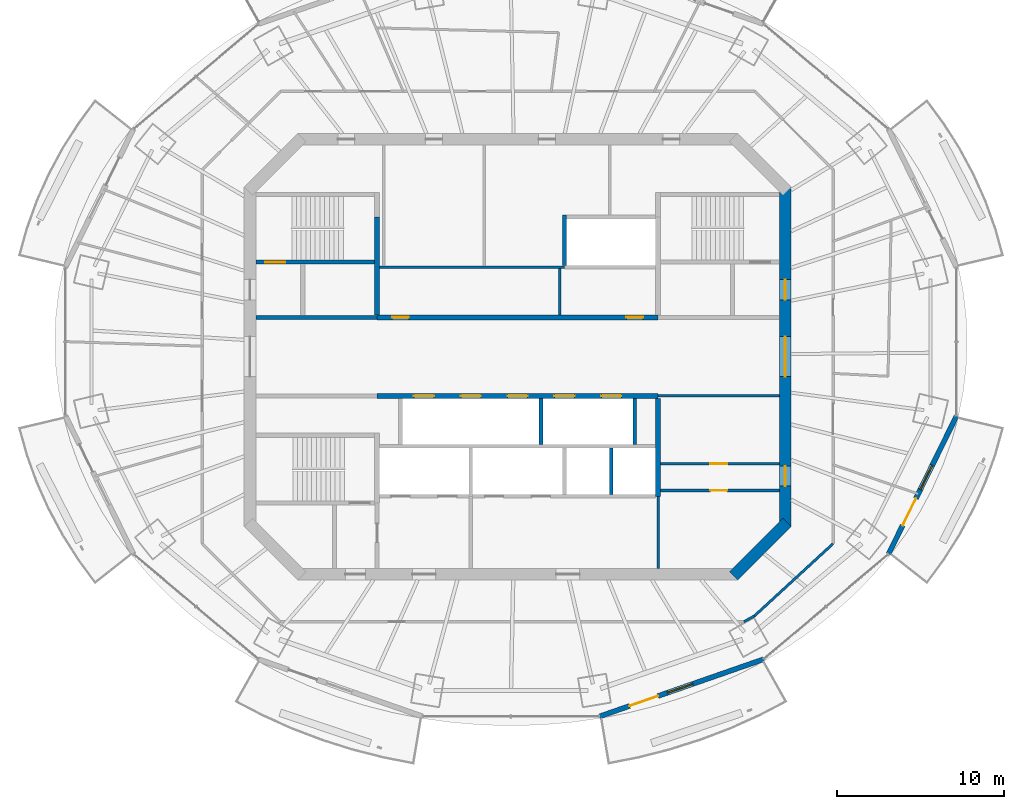
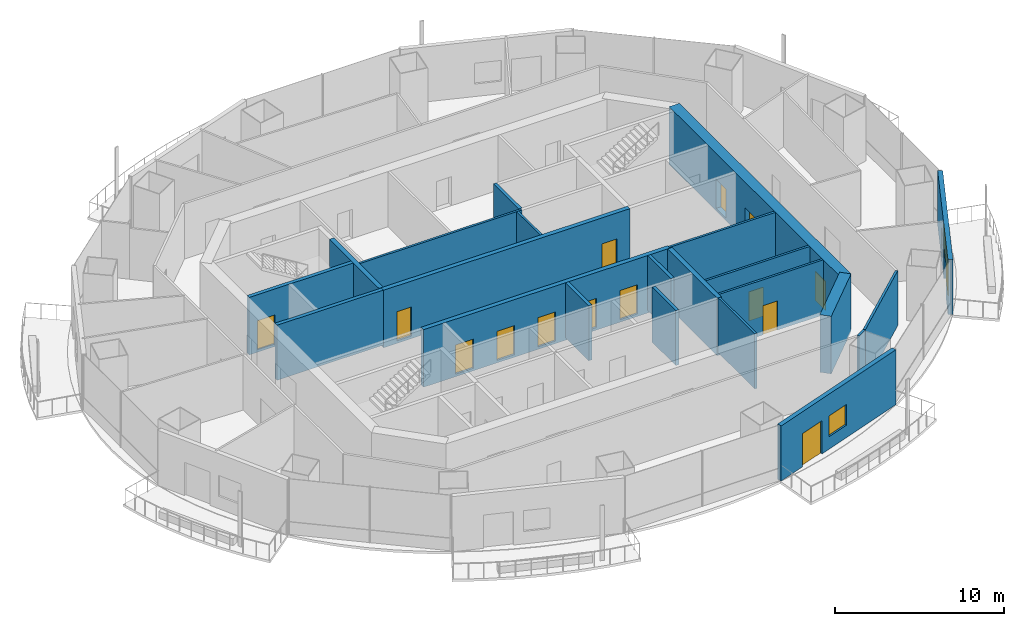
# One storey, part 9 of 16: 22 walls, 15 doors, 2 windows, 17 openings.
"""IFC4 building model written with IfcOpenShell, lengths in metres."""

import ifcopenshell
import ifcopenshell.guid

model = None  # the IFC model being written
_history = None  # IfcOwnerHistory: only IFC2X3 demands one
_inside = {}  # id of a spatial element -> (the spatial element, [elements in it])
_under = {}  # id of a project, library or spatial element -> (it, [spatial elements below it])
_declared = {}  # id of a project -> (the project, [libraries it declares])
_typed = {}  # id of a type object -> (the type object, [elements of that type])
_made_of = {}  # id of a material, layer set ... -> (it, [elements and type objects made of it])


def new_model(schema):
    """Start an empty IFC model of exactly this schema.

    Asked for "IFC4X3", IfcOpenShell would pick the latest addendum, in which some entities
    have other attributes; the version numbers below select the first issue.
    IFC2X3 requires an IfcOwnerHistory on every rooted entity: one is made here for all.
    """
    global model, _history
    if schema == "IFC4X3":
        model = ifcopenshell.file(schema_version=(4, 3, 0, 0))
    else:
        model = ifcopenshell.file(schema=schema)
    _inside.clear()
    _under.clear()
    _declared.clear()
    _typed.clear()
    _made_of.clear()
    _history = None
    if model.schema == "IFC2X3":
        org = make("IfcOrganization", Name="unknown")
        user = make(
            "IfcPersonAndOrganization",
            ThePerson=make("IfcPerson", FamilyName="unknown"),
            TheOrganization=org,
        )
        app = make(
            "IfcApplication",
            ApplicationDeveloper=org,
            Version="unknown",
            ApplicationFullName="unknown",
            ApplicationIdentifier="unknown",
        )
        _history = make(
            "IfcOwnerHistory",
            OwningUser=user,
            OwningApplication=app,
            ChangeAction="ADDED",
            CreationDate=0,
        )
    return model


def make(cls, **values):
    """One entity of the class cls with the attributes given. An attribute that is None is left unset."""
    return model.create_entity(
        cls, **{name: value for name, value in values.items() if value is not None}
    )


def rooted(cls, **values):
    """An entity with a GlobalId (a new one), such as an element, a storey or a relation."""
    return make(cls, GlobalId=ifcopenshell.guid.new(), OwnerHistory=_history, **values)


def si_unit(unit_type, name, prefix=None):
    """IfcSIUnit, for example si_unit("LENGTHUNIT", "METRE", prefix="MILLI")."""
    return make("IfcSIUnit", UnitType=unit_type, Prefix=prefix, Name=name)


def assignment(units):
    """IfcUnitAssignment: the units of a project."""
    return None if units is None else make("IfcUnitAssignment", Units=units)


def point(xyz):
    """IfcCartesianPoint."""
    return None if xyz is None else make("IfcCartesianPoint", Coordinates=xyz)


def direction(xyz):
    """IfcDirection."""
    return None if xyz is None else make("IfcDirection", DirectionRatios=xyz)


def frame(location, z_axis=None, x_axis=None):
    """IfcAxis2Placement3D, a coordinate frame: its origin and axes. An axis left out is left unset."""
    return make(
        "IfcAxis2Placement3D",
        Location=point(location),
        Axis=direction(z_axis),
        RefDirection=direction(x_axis),
    )


def frame_2d(location, x_axis=None):
    """IfcAxis2Placement2D, a coordinate frame in the plane: its origin and x axis."""
    return make(
        "IfcAxis2Placement2D", Location=point(location), RefDirection=direction(x_axis)
    )


def origin():
    """The frame at (0, 0, 0) with its axes left unset."""
    return frame((0.0, 0.0, 0.0))


def place(relative_to, where):
    """IfcLocalPlacement: puts the frame where relative to a parent placement (None: the world)."""
    return make(
        "IfcLocalPlacement", PlacementRelTo=relative_to, RelativePlacement=where
    )


def context(
    kind, dimensions, precision=None, world=None, true_north=None, identifier=None
):
    """IfcGeometricRepresentationContext, for example the 3D "Model" context."""
    return make(
        "IfcGeometricRepresentationContext",
        ContextIdentifier=identifier,
        ContextType=kind,
        CoordinateSpaceDimension=dimensions,
        Precision=precision,
        WorldCoordinateSystem=world,
        TrueNorth=true_north,
    )


def subcontext(parent, identifier, kind, view, scale=None):
    """IfcGeometricRepresentationSubContext, for example "Body" below "Model"."""
    return make(
        "IfcGeometricRepresentationSubContext",
        ContextIdentifier=identifier,
        ContextType=kind,
        ParentContext=parent,
        TargetScale=scale,
        TargetView=view,
    )


def project(units=None, contexts=None):
    """IfcProject with its units and contexts."""
    return rooted(
        "IfcProject",
        Name="project",
        RepresentationContexts=contexts,
        UnitsInContext=assignment(units),
    )


def spatial(cls, under=None, at=None, **own):
    """A site, building, storey or space (cls), placed at a placement, below another one or the project."""
    s = rooted(cls, ObjectPlacement=at, **own)
    if under is not None:
        _under.setdefault(under.id(), (under, []))[1].append(s)
    return s


def profile(cls, at=None, kind="AREA", **sizes):
    """A parametric profile (cls). Its sizes go by their IFC names, for example OverallWidth=200.0."""
    return make(cls, ProfileType=kind, Position=at, **sizes)


def rectangle(**sizes):
    """IfcRectangleProfileDef."""
    return profile("IfcRectangleProfileDef", **sizes)


def extrude(swept, where, along, depth):
    """IfcExtrudedAreaSolid: the profile swept, set in the frame where, extruded along a direction by depth."""
    return make(
        "IfcExtrudedAreaSolid",
        SweptArea=swept,
        Position=where,
        ExtrudedDirection=direction(along),
        Depth=depth,
    )


def shape(context_of_items, identifier, shape_type, items):
    """IfcShapeRepresentation: the items that make up one representation, for example the "Body"."""
    return make(
        "IfcShapeRepresentation",
        ContextOfItems=context_of_items,
        RepresentationIdentifier=identifier,
        RepresentationType=shape_type,
        Items=items,
    )


def material(Name=None, Category=None):
    """IfcMaterial."""
    return make("IfcMaterial", Name=Name, Category=Category)


def layer(
    of_material, thickness, ventilated=None, Name=None, Category=None, Priority=None
):
    """IfcMaterialLayer: one layer of a wall or slab, of a material (None: an air gap)."""
    return make(
        "IfcMaterialLayer",
        Material=of_material,
        LayerThickness=thickness,
        IsVentilated=ventilated,
        Name=Name,
        Category=Category,
        Priority=Priority,
    )


def layer_set(layers, Name=None):
    """IfcMaterialLayerSet."""
    return make("IfcMaterialLayerSet", MaterialLayers=layers, LayerSetName=Name)


def made_of(thing, what):
    """Note that an element or type object is made of a material, layer set ...; save() writes the relation."""
    if what is not None:
        _made_of.setdefault(what.id(), (what, []))[1].append(thing)
    return thing


def type_object(cls, material=None, **own):
    """A type object (cls), such as IfcWallType, which elements share."""
    return made_of(rooted(cls, **own), material)


def element(
    cls,
    number,
    at=None,
    inside=None,
    cuts=None,
    type_object=None,
    material=None,
    context=None,
    identifier="Body",
    shape_type=None,
    held_by="IfcProductDefinitionShape",
    body=None,
    shapes=None,
    **own,
):
    """One element of the class cls, such as IfcWall. Its Tag is "e" and its number.

    at: its placement. inside: the storey or other place that contains it. cuts: it is an
    opening in that element (IfcRelVoidsElement). A single representation is given by context,
    identifier, shape_type and body (its items); several are given by shapes. held_by: the class
    of the entity that holds the representations. save() writes the other relations.
    """
    e = rooted(cls, Tag="e%d" % number, ObjectPlacement=at, **own)
    if body is not None:
        shapes = [shape(context, identifier, shape_type, body)]
    if shapes is not None:
        e.Representation = make(held_by, Representations=shapes)
    if inside is not None:
        _inside.setdefault(inside.id(), (inside, []))[1].append(e)
    if cuts is not None:
        rooted(
            "IfcRelVoidsElement", RelatingBuildingElement=cuts, RelatedOpeningElement=e
        )
    if type_object is not None:
        _typed.setdefault(type_object.id(), (type_object, []))[1].append(e)
    return made_of(e, material)


def fill(opening, filler):
    """IfcRelFillsElement: the door or window that sits in an opening."""
    return rooted(
        "IfcRelFillsElement",
        RelatingOpeningElement=opening,
        RelatedBuildingElement=filler,
    )


def aggregate(whole, parts):
    """IfcRelAggregates: a whole, such as a stair, and the parts it consists of."""
    return rooted("IfcRelAggregates", RelatingObject=whole, RelatedObjects=parts)


def save(model, path):
    """Write the relations noted so far, then the file.

    IfcRelAggregates (storeys below a building ...), IfcRelContainedInSpatialStructure (elements
    in a storey), IfcRelDefinesByType, IfcRelAssociatesMaterial and IfcRelDeclares: one each for
    every whole, place, type object, material and project.
    """
    for whole, parts in _under.values():
        aggregate(whole, parts)
    for where, things in _inside.values():
        rooted(
            "IfcRelContainedInSpatialStructure",
            RelatedElements=things,
            RelatingStructure=where,
        )
    for kind, things in _typed.values():
        rooted("IfcRelDefinesByType", RelatedObjects=things, RelatingType=kind)
    for what, things in _made_of.values():
        rooted("IfcRelAssociatesMaterial", RelatedObjects=things, RelatingMaterial=what)
    for by, libraries in _declared.values():
        rooted("IfcRelDeclares", RelatingContext=by, RelatedDefinitions=libraries)
    model.write(path)


model = new_model("IFC4")

# Units and contexts
model_context = context("Model", 3, precision=1e-05, world=origin(), true_north=direction((0.0, 1.0)))
body_context = subcontext(model_context, "Body", "Model", "MODEL_VIEW")
ifc_project = project(units=[si_unit("LENGTHUNIT", "METRE"), si_unit("AREAUNIT", "SQUARE_METRE"), si_unit("VOLUMEUNIT", "CUBIC_METRE"), si_unit("PLANEANGLEUNIT", "RADIAN"), si_unit("MASSUNIT", "GRAM", prefix="KILO")], contexts=[model_context])

# Site, building, storey
site_placement = place(None, origin())
site = spatial("IfcSite", under=ifc_project, at=site_placement, CompositionType="ELEMENT")
building_placement = place(site_placement, origin())
building = spatial("IfcBuilding", under=site, at=building_placement, Name="Marenthal Gate Tower", CompositionType="ELEMENT")
storey_placement = place(building_placement, frame((0.0, 0.0, 338.449951171875)))
storey = spatial("IfcBuildingStorey", under=building, at=storey_placement, Name="L76", CompositionType="ELEMENT", Elevation=338.449951171875)

# Wall
ifc_material_1 = material(Name="Concrete 60 MPa", Category="concrete")
ifc_layer_1 = layer(ifc_material_1, 0.699951171875)
ifc_layer_set_1 = layer_set([ifc_layer_1], Name="Core shear wall 700")
wall_type_1 = type_object("IfcWallType", Name="Core shear wall 700", PredefinedType="SHEAR", material=ifc_layer_set_1)
wall_1_placement = place(storey_placement, frame((12.8974609375, -13.1025390625, -0.179931640625), z_axis=(0.0, 0.0, 1.0), x_axis=(0.707106781187, 0.707106781187, 0.0)))
element("IfcWall", 1, at=wall_1_placement, inside=storey, type_object=wall_type_1, Name="Core wall 01", PredefinedType="SHEAR", context=body_context, shape_type="SweptSolid", body=[
    extrude(rectangle(XDim=4.53271484375, YDim=0.699951171875, at=frame_2d((2.266357421875, 0.0))), origin(), (0.0, 0.0, 1.0), 4.14990234375),
])

# Wall, openings, doors
wall_2_placement = place(storey_placement, frame((16.0, -10.14501953125, -0.179931640625), z_axis=(0.0, 0.0, 1.0), x_axis=(0.0, 1.0, 0.0)))
wall_2 = element("IfcWall", 2, at=wall_2_placement, inside=storey, type_object=wall_type_1, Name="Core wall 02", PredefinedType="SHEAR", context=body_context, shape_type="SweptSolid", body=[
    extrude(rectangle(XDim=20.2900390625, YDim=0.699951171875, at=frame_2d((10.14501953125, 0.0))), origin(), (0.0, 0.0, 1.0), 4.14990234375),
])
opening_1_placement = place(wall_2_placement, frame((8.945068359375, 0.0, 0.179931640625)))
opening_1 = element("IfcOpeningElement", 3, at=opening_1_placement, cuts=wall_2, Name="Opening D003.02", PredefinedType="OPENING", context=body_context, shape_type="SweptSolid", body=[
    extrude(rectangle(XDim=2.39990234375, YDim=2.10009765625, at=frame_2d((1.199951171875, 1.050048828125))), frame((0.0, 0.35986328125, 0.0), z_axis=(0.0, -1.0, 0.0), x_axis=(1.0, 0.0, 0.0)), (0.0, 0.0, 1.0), 0.719970703125),
])
opening_2_placement = place(wall_2_placement, frame((13.544921875, 0.0, 0.179931640625)))
opening_2 = element("IfcOpeningElement", 4, at=opening_2_placement, cuts=wall_2, Name="Opening D001.05", PredefinedType="OPENING", context=body_context, shape_type="SweptSolid", body=[
    extrude(rectangle(XDim=1.199951171875, YDim=2.10009765625, at=frame_2d((0.60009765625, 1.050048828125))), frame((0.0, 0.35986328125, 0.0), z_axis=(0.0, -1.0, 0.0), x_axis=(1.0, 0.0, 0.0)), (0.0, 0.0, 1.0), 0.719970703125),
])
opening_3_placement = place(wall_2_placement, frame((2.39990234375, 0.0, 0.179931640625)))
opening_3 = element("IfcOpeningElement", 5, at=opening_3_placement, cuts=wall_2, Name="Opening D006.01", PredefinedType="OPENING", context=body_context, shape_type="SweptSolid", body=[
    extrude(rectangle(XDim=1.199951171875, YDim=2.10009765625, at=frame_2d((0.60009765625, 1.050048828125))), frame((0.0, 0.35986328125, 0.0), z_axis=(0.0, -1.0, 0.0), x_axis=(1.0, 0.0, 0.0)), (0.0, 0.0, 1.0), 0.719970703125),
])
ifc_material_2 = material(Name="Steel fire door", Category="steel")
door_type_1 = type_object("IfcDoorType", Name="Double fire door FD 45 2400 x 2100", OperationType="DOUBLE_DOOR_SINGLE_SWING", PredefinedType="DOOR", material=ifc_material_2)
door_1_placement = place(opening_1_placement, origin())
door_1 = element("IfcDoor", 6, at=door_1_placement, inside=storey, type_object=door_type_1, Name="Door D003.02", OperationType="DOUBLE_DOOR_SINGLE_SWING", OverallHeight=2.10009765625, OverallWidth=2.39990234375, PredefinedType="DOOR", context=body_context, shape_type="SweptSolid", body=[
    extrude(rectangle(XDim=2.39990234375, YDim=2.10009765625, at=frame_2d((1.199951171875, 1.050048828125))), frame((0.0, 0.02490234375, 0.0), z_axis=(0.0, -1.0, 0.0), x_axis=(1.0, 0.0, 0.0)), (0.0, 0.0, 1.0), 0.050048828125),
])
fill(opening_1, door_1)
ifc_material_3 = material(Name="Steel fire door", Category="steel")
door_type_2 = type_object("IfcDoorType", Name="Fire door FD 45 1200 x 2100", OperationType="NOTDEFINED", PredefinedType="DOOR", material=ifc_material_3)
door_2_placement = place(opening_3_placement, origin())
door_2 = element("IfcDoor", 7, at=door_2_placement, inside=storey, type_object=door_type_2, Name="Door D006.01", OperationType="SINGLE_SWING_RIGHT", OverallHeight=2.10009765625, OverallWidth=1.199951171875, PredefinedType="DOOR", context=body_context, shape_type="SweptSolid", body=[
    extrude(rectangle(XDim=1.199951171875, YDim=2.10009765625, at=frame_2d((0.60009765625, 1.050048828125))), frame((0.0, 0.02490234375, 0.0), z_axis=(0.0, -1.0, 0.0), x_axis=(1.0, 0.0, 0.0)), (0.0, 0.0, 1.0), 0.050048828125),
])
fill(opening_3, door_2)
ifc_material_4 = material(Name="Steel fire door", Category="steel")
door_type_3 = type_object("IfcDoorType", Name="Fire door FD 90 1200 x 2100", OperationType="NOTDEFINED", PredefinedType="DOOR", material=ifc_material_4)
door_3_placement = place(opening_2_placement, origin())
door_3 = element("IfcDoor", 8, at=door_3_placement, inside=storey, type_object=door_type_3, Name="Door D001.05", OperationType="SINGLE_SWING_RIGHT", OverallHeight=2.10009765625, OverallWidth=1.199951171875, PredefinedType="DOOR", context=body_context, shape_type="SweptSolid", body=[
    extrude(rectangle(XDim=1.199951171875, YDim=2.10009765625, at=frame_2d((0.60009765625, 1.050048828125))), frame((0.0, 0.02490234375, 0.0), z_axis=(0.0, -1.0, 0.0), x_axis=(1.0, 0.0, 0.0)), (0.0, 0.0, 1.0), 0.050048828125),
])
fill(opening_2, door_3)

ifc_material_5 = material(Name="Concrete 50 MPa", Category="concrete")
ifc_layer_2 = layer(ifc_material_5, 0.300048828125)
ifc_layer_set_2 = layer_set([ifc_layer_2], Name="Hoistway shear wall 300")
wall_type_2 = type_object("IfcWallType", Name="Hoistway shear wall 300", PredefinedType="SHEAR", material=ifc_layer_set_2)
wall_3_placement = place(storey_placement, frame((-8.39990234375, -2.35009765625, -0.179931640625), z_axis=(0.0, 0.0, 1.0), x_axis=(1.0, 0.0, 0.0)))
wall_3 = element("IfcWall", 9, at=wall_3_placement, inside=storey, type_object=wall_type_2, Name="Hoistway wall 17", PredefinedType="SHEAR", context=body_context, shape_type="SweptSolid", body=[
    extrude(rectangle(XDim=16.7998046875, YDim=0.300048828125, at=frame_2d((8.39990234375, 0.0))), origin(), (0.0, 0.0, 1.0), 4.14990234375),
])
opening_4_placement = place(wall_3_placement, frame((2.199951171875, 0.0, 0.179931640625)))
opening_4 = element("IfcOpeningElement", 10, at=opening_4_placement, cuts=wall_3, Name="Opening LD-HP1", PredefinedType="OPENING", context=body_context, shape_type="SweptSolid", body=[
    extrude(rectangle(XDim=1.199951171875, YDim=2.10009765625, at=frame_2d((0.60009765625, 1.050048828125))), frame((0.0, 0.16015625, 0.0), z_axis=(0.0, -1.0, 0.0), x_axis=(1.0, 0.0, 0.0)), (0.0, 0.0, 1.0), 0.320068359375),
])
opening_5_placement = place(wall_3_placement, frame((5.0, 0.0, 0.179931640625)))
opening_5 = element("IfcOpeningElement", 11, at=opening_5_placement, cuts=wall_3, Name="Opening LD-HP2", PredefinedType="OPENING", context=body_context, shape_type="SweptSolid", body=[
    extrude(rectangle(XDim=1.199951171875, YDim=2.10009765625, at=frame_2d((0.60009765625, 1.050048828125))), frame((0.0, 0.16015625, 0.0), z_axis=(0.0, -1.0, 0.0), x_axis=(1.0, 0.0, 0.0)), (0.0, 0.0, 1.0), 0.320068359375),
])
opening_6_placement = place(wall_3_placement, frame((7.800048828125, 0.0, 0.179931640625)))
opening_6 = element("IfcOpeningElement", 12, at=opening_6_placement, cuts=wall_3, Name="Opening LD-HP3", PredefinedType="OPENING", context=body_context, shape_type="SweptSolid", body=[
    extrude(rectangle(XDim=1.199951171875, YDim=2.10009765625, at=frame_2d((0.60009765625, 1.050048828125))), frame((0.0, 0.16015625, 0.0), z_axis=(0.0, -1.0, 0.0), x_axis=(1.0, 0.0, 0.0)), (0.0, 0.0, 1.0), 0.320068359375),
])
opening_7_placement = place(wall_3_placement, frame((10.60009765625, 0.0, 0.179931640625)))
opening_7 = element("IfcOpeningElement", 13, at=opening_7_placement, cuts=wall_3, Name="Opening LD-HP4", PredefinedType="OPENING", context=body_context, shape_type="SweptSolid", body=[
    extrude(rectangle(XDim=1.199951171875, YDim=2.10009765625, at=frame_2d((0.60009765625, 1.050048828125))), frame((0.0, 0.16015625, 0.0), z_axis=(0.0, -1.0, 0.0), x_axis=(1.0, 0.0, 0.0)), (0.0, 0.0, 1.0), 0.320068359375),
])
opening_8_placement = place(wall_3_placement, frame((13.39990234375, 0.0, 0.179931640625)))
opening_8 = element("IfcOpeningElement", 14, at=opening_8_placement, cuts=wall_3, Name="Opening LD-HP5", PredefinedType="OPENING", context=body_context, shape_type="SweptSolid", body=[
    extrude(rectangle(XDim=1.199951171875, YDim=2.10009765625, at=frame_2d((0.60009765625, 1.050048828125))), frame((0.0, 0.16015625, 0.0), z_axis=(0.0, -1.0, 0.0), x_axis=(1.0, 0.0, 0.0)), (0.0, 0.0, 1.0), 0.320068359375),
])
ifc_material_6 = material(Name="Stainless steel sliding door", Category="steel")
door_type_4 = type_object("IfcDoorType", Name="Lift landing door FD 90 1200 x 2100", OperationType="DOUBLE_DOOR_SLIDING", PredefinedType="DOOR", material=ifc_material_6)
door_4_placement = place(opening_4_placement, origin())
door_4 = element("IfcDoor", 15, at=door_4_placement, inside=storey, type_object=door_type_4, Name="Lift landing door HP1", OperationType="DOUBLE_DOOR_SLIDING", OverallHeight=2.10009765625, OverallWidth=1.199951171875, PredefinedType="DOOR", context=body_context, shape_type="SweptSolid", body=[
    extrude(rectangle(XDim=1.199951171875, YDim=2.10009765625, at=frame_2d((0.60009765625, 1.050048828125))), frame((0.0, 0.02490234375, 0.0), z_axis=(0.0, -1.0, 0.0), x_axis=(1.0, 0.0, 0.0)), (0.0, 0.0, 1.0), 0.050048828125),
])
fill(opening_4, door_4)
door_5_placement = place(opening_5_placement, origin())
door_5 = element("IfcDoor", 16, at=door_5_placement, inside=storey, type_object=door_type_4, Name="Lift landing door HP2", OperationType="DOUBLE_DOOR_SLIDING", OverallHeight=2.10009765625, OverallWidth=1.199951171875, PredefinedType="DOOR", context=body_context, shape_type="SweptSolid", body=[
    extrude(rectangle(XDim=1.199951171875, YDim=2.10009765625, at=frame_2d((0.60009765625, 1.050048828125))), frame((0.0, 0.02490234375, 0.0), z_axis=(0.0, -1.0, 0.0), x_axis=(1.0, 0.0, 0.0)), (0.0, 0.0, 1.0), 0.050048828125),
])
fill(opening_5, door_5)
door_6_placement = place(opening_6_placement, origin())
door_6 = element("IfcDoor", 17, at=door_6_placement, inside=storey, type_object=door_type_4, Name="Lift landing door HP3", OperationType="DOUBLE_DOOR_SLIDING", OverallHeight=2.10009765625, OverallWidth=1.199951171875, PredefinedType="DOOR", context=body_context, shape_type="SweptSolid", body=[
    extrude(rectangle(XDim=1.199951171875, YDim=2.10009765625, at=frame_2d((0.60009765625, 1.050048828125))), frame((0.0, 0.02490234375, 0.0), z_axis=(0.0, -1.0, 0.0), x_axis=(1.0, 0.0, 0.0)), (0.0, 0.0, 1.0), 0.050048828125),
])
fill(opening_6, door_6)
door_7_placement = place(opening_7_placement, origin())
door_7 = element("IfcDoor", 18, at=door_7_placement, inside=storey, type_object=door_type_4, Name="Lift landing door HP4", OperationType="DOUBLE_DOOR_SLIDING", OverallHeight=2.10009765625, OverallWidth=1.199951171875, PredefinedType="DOOR", context=body_context, shape_type="SweptSolid", body=[
    extrude(rectangle(XDim=1.199951171875, YDim=2.10009765625, at=frame_2d((0.60009765625, 1.050048828125))), frame((0.0, 0.02490234375, 0.0), z_axis=(0.0, -1.0, 0.0), x_axis=(1.0, 0.0, 0.0)), (0.0, 0.0, 1.0), 0.050048828125),
])
fill(opening_7, door_7)
door_8_placement = place(opening_8_placement, origin())
door_8 = element("IfcDoor", 19, at=door_8_placement, inside=storey, type_object=door_type_4, Name="Lift landing door HP5", OperationType="DOUBLE_DOOR_SLIDING", OverallHeight=2.10009765625, OverallWidth=1.199951171875, PredefinedType="DOOR", context=body_context, shape_type="SweptSolid", body=[
    extrude(rectangle(XDim=1.199951171875, YDim=2.10009765625, at=frame_2d((0.60009765625, 1.050048828125))), frame((0.0, 0.02490234375, 0.0), z_axis=(0.0, -1.0, 0.0), x_axis=(1.0, 0.0, 0.0)), (0.0, 0.0, 1.0), 0.050048828125),
])
fill(opening_8, door_8)

wall_4_placement = place(storey_placement, frame((-8.39990234375, 2.35009765625, -0.179931640625), z_axis=(0.0, 0.0, 1.0), x_axis=(1.0, 0.0, 0.0)))
wall_4 = element("IfcWall", 20, at=wall_4_placement, inside=storey, type_object=wall_type_2, Name="Hoistway wall 20", PredefinedType="SHEAR", context=body_context, shape_type="SweptSolid", body=[
    extrude(rectangle(XDim=16.7998046875, YDim=0.300048828125, at=frame_2d((8.39990234375, 0.0))), origin(), (0.0, 0.0, 1.0), 4.14990234375),
])
opening_9_placement = place(wall_4_placement, frame((0.89990234375, 0.0, 0.179931640625)))
opening_9 = element("IfcOpeningElement", 21, at=opening_9_placement, cuts=wall_4, Name="Opening D005.01", PredefinedType="OPENING", context=body_context, shape_type="SweptSolid", body=[
    extrude(rectangle(XDim=1.0, YDim=2.10009765625, at=frame_2d((0.5, 1.050048828125))), frame((0.0, 0.16015625, 0.0), z_axis=(0.0, -1.0, 0.0), x_axis=(1.0, 0.0, 0.0)), (0.0, 0.0, 1.0), 0.320068359375),
])
opening_10_placement = place(wall_4_placement, frame((14.89990234375, 0.0, 0.179931640625)))
opening_10 = element("IfcOpeningElement", 22, at=opening_10_placement, cuts=wall_4, Name="Opening D005.02", PredefinedType="OPENING", context=body_context, shape_type="SweptSolid", body=[
    extrude(rectangle(XDim=1.0, YDim=2.10009765625, at=frame_2d((0.5, 1.050048828125))), frame((0.0, 0.16015625, 0.0), z_axis=(0.0, -1.0, 0.0), x_axis=(1.0, 0.0, 0.0)), (0.0, 0.0, 1.0), 0.320068359375),
])
ifc_material_7 = material(Name="Steel fire door", Category="steel")
door_type_5 = type_object("IfcDoorType", Name="Fire door FD 45 1000 x 2100", OperationType="NOTDEFINED", PredefinedType="DOOR", material=ifc_material_7)
door_9_placement = place(opening_9_placement, origin())
door_9 = element("IfcDoor", 23, at=door_9_placement, inside=storey, type_object=door_type_5, Name="Door D005.01", OperationType="SINGLE_SWING_RIGHT", OverallHeight=2.10009765625, OverallWidth=1.0, PredefinedType="DOOR", context=body_context, shape_type="SweptSolid", body=[
    extrude(rectangle(XDim=1.0, YDim=2.10009765625, at=frame_2d((0.5, 1.050048828125))), frame((0.0, 0.02490234375, 0.0), z_axis=(0.0, -1.0, 0.0), x_axis=(1.0, 0.0, 0.0)), (0.0, 0.0, 1.0), 0.050048828125),
])
fill(opening_9, door_9)
door_10_placement = place(opening_10_placement, origin())
door_10 = element("IfcDoor", 24, at=door_10_placement, inside=storey, type_object=door_type_5, Name="Door D005.02", OperationType="SINGLE_SWING_RIGHT", OverallHeight=2.10009765625, OverallWidth=1.0, PredefinedType="DOOR", context=body_context, shape_type="SweptSolid", body=[
    extrude(rectangle(XDim=1.0, YDim=2.10009765625, at=frame_2d((0.5, 1.050048828125))), frame((0.0, 0.02490234375, 0.0), z_axis=(0.0, -1.0, 0.0), x_axis=(1.0, 0.0, 0.0)), (0.0, 0.0, 1.0), 0.050048828125),
])
fill(opening_10, door_10)

# Walls
for number, where, z_axis, x_axis, name in (
    (25, (-8.39990234375, 2.5, -0.179931640625), (0.0, 0.0, 1.0), (0.0, 1.0, 0.0), "Hoistway wall 33"),
    (26, (8.39990234375, -8.35009765625, -0.179931640625), (0.0, 0.0, 1.0), (0.0, 1.0, 0.0), "Hoistway wall 48"),
):
    element("IfcWall", number, at=place(storey_placement, frame(where, z_axis=z_axis, x_axis=x_axis)), inside=storey, type_object=wall_type_2, Name=name, PredefinedType="SHEAR", context=body_context, shape_type="SweptSolid", body=[
        extrude(rectangle(XDim=5.85009765625, YDim=0.300048828125, at=frame_2d((2.925048828125, 0.0))), origin(), (0.0, 0.0, 1.0), 4.14990234375),
    ])
ifc_material_8 = material(Name="Concrete 40 MPa", Category="concrete")
ifc_layer_3 = layer(ifc_material_8, 0.219970703125)
ifc_layer_set_3 = layer_set([ifc_layer_3], Name="Hoistway wall 220")
wall_type_3 = type_object("IfcWallType", Name="Hoistway wall 220", PredefinedType="STANDARD", material=ifc_layer_set_3)
wall_5_placement = place(storey_placement, frame((1.39990234375, -5.239990234375, 0.0), z_axis=(0.0, 0.0, 1.0), x_axis=(0.0, 1.0, 0.0)))
element("IfcWall", 27, at=wall_5_placement, inside=storey, type_object=wall_type_3, Name="Hoistway wall 40", PredefinedType="STANDARD", context=body_context, shape_type="SweptSolid", body=[
    extrude(rectangle(XDim=2.739990234375, YDim=0.219970703125, at=frame_2d((1.3701171875, 0.0))), origin(), (0.0, 0.0, 1.0), 3.969970703125),
])
wall_6_placement = place(storey_placement, frame((2.800048828125, 5.4599609375, 0.0), z_axis=(0.0, 0.0, 1.0), x_axis=(0.0, 1.0, 0.0)))
element("IfcWall", 28, at=wall_6_placement, inside=storey, type_object=wall_type_3, Name="Hoistway wall 43", PredefinedType="STANDARD", context=body_context, shape_type="SweptSolid", body=[
    extrude(rectangle(XDim=3.0, YDim=0.219970703125, at=frame_2d((1.5, 0.0))), origin(), (0.0, 0.0, 1.0), 3.969970703125),
])
wall_7_placement = place(storey_placement, frame((5.60009765625, -8.239990234375, 0.0), z_axis=(0.0, 0.0, 1.0), x_axis=(0.0, 1.0, 0.0)))
element("IfcWall", 29, at=wall_7_placement, inside=storey, type_object=wall_type_3, Name="Hoistway wall 45", PredefinedType="STANDARD", context=body_context, shape_type="SweptSolid", body=[
    extrude(rectangle(XDim=2.780029296875, YDim=0.219970703125, at=frame_2d((1.39013671875, 0.0))), origin(), (0.0, 0.0, 1.0), 3.969970703125),
])
wall_8_placement = place(storey_placement, frame((7.0, -5.239990234375, 0.0), z_axis=(0.0, 0.0, 1.0), x_axis=(0.0, 1.0, 0.0)))
element("IfcWall", 30, at=wall_8_placement, inside=storey, type_object=wall_type_3, Name="Hoistway wall 46", PredefinedType="STANDARD", context=body_context, shape_type="SweptSolid", body=[
    extrude(rectangle(XDim=2.739990234375, YDim=0.219970703125, at=frame_2d((1.3701171875, 0.0))), origin(), (0.0, 0.0, 1.0), 3.969970703125),
])

# Wall, opening, door
ifc_material_9 = material(Name="Gypsum board on steel studs", Category="steel")
ifc_layer_4 = layer(ifc_material_9, 0.14990234375)
ifc_layer_set_4 = layer_set([ifc_layer_4], Name="Partition 150")
wall_type_4 = type_object("IfcWallType", Name="Partition 150", PredefinedType="PARTITIONING", material=ifc_layer_set_4)
wall_9_placement = place(storey_placement, frame((8.550048828125, -8.0, 0.0), z_axis=(0.0, 0.0, 1.0), x_axis=(1.0, 0.0, 0.0)))
wall_9 = element("IfcWall", 31, at=wall_9_placement, inside=storey, type_object=wall_type_4, Name="Partition wall 12", PredefinedType="PARTITIONING", context=body_context, shape_type="SweptSolid", body=[
    extrude(rectangle(XDim=7.099853515625, YDim=0.14990234375, at=frame_2d((3.5498046875, 0.0))), origin(), (0.0, 0.0, 1.0), 3.969970703125),
])
opening_11_placement = place(wall_9_placement, frame((2.97509765625, 0.0, 0.0)))
opening_11 = element("IfcOpeningElement", 32, at=opening_11_placement, cuts=wall_9, Name="Opening D005.08", PredefinedType="OPENING", context=body_context, shape_type="SweptSolid", body=[
    extrude(rectangle(XDim=1.0, YDim=2.10009765625, at=frame_2d((0.5, 1.050048828125))), frame((0.0, 0.0849609375, 0.0), z_axis=(0.0, -1.0, 0.0), x_axis=(1.0, 0.0, 0.0)), (0.0, 0.0, 1.0), 0.169921875),
])
door_11_placement = place(opening_11_placement, frame((1.0, 0.0, 0.0), z_axis=(0.0, 0.0, 1.0), x_axis=(-1.0, 0.0, 0.0)))
door_11 = element("IfcDoor", 33, at=door_11_placement, inside=storey, type_object=door_type_5, Name="Door D005.08", OperationType="SINGLE_SWING_LEFT", OverallHeight=2.10009765625, OverallWidth=1.0, PredefinedType="DOOR", context=body_context, shape_type="SweptSolid", body=[
    extrude(rectangle(XDim=1.0, YDim=2.10009765625, at=frame_2d((0.5, 1.050048828125))), frame((0.0, 0.02490234375, 0.0), z_axis=(0.0, -1.0, 0.0), x_axis=(1.0, 0.0, 0.0)), (0.0, 0.0, 1.0), 0.050048828125),
])
fill(opening_11, door_11)

wall_10_placement = place(storey_placement, frame((8.550048828125, -6.39990234375, 0.0), z_axis=(0.0, 0.0, 1.0), x_axis=(1.0, 0.0, 0.0)))
wall_10 = element("IfcWall", 34, at=wall_10_placement, inside=storey, type_object=wall_type_4, Name="Partition wall 13", PredefinedType="PARTITIONING", context=body_context, shape_type="SweptSolid", body=[
    extrude(rectangle(XDim=7.099853515625, YDim=0.14990234375, at=frame_2d((3.5498046875, 0.0))), origin(), (0.0, 0.0, 1.0), 3.969970703125),
])
opening_12_placement = place(wall_10_placement, frame((2.97509765625, 0.0, 0.0)))
opening_12 = element("IfcOpeningElement", 35, at=opening_12_placement, cuts=wall_10, Name="Opening D005.07", PredefinedType="OPENING", context=body_context, shape_type="SweptSolid", body=[
    extrude(rectangle(XDim=1.0, YDim=2.10009765625, at=frame_2d((0.5, 1.050048828125))), frame((0.0, 0.0849609375, 0.0), z_axis=(0.0, -1.0, 0.0), x_axis=(1.0, 0.0, 0.0)), (0.0, 0.0, 1.0), 0.169921875),
])
door_12_placement = place(opening_12_placement, origin())
door_12 = element("IfcDoor", 36, at=door_12_placement, inside=storey, type_object=door_type_5, Name="Door D005.07", OperationType="SINGLE_SWING_RIGHT", OverallHeight=2.10009765625, OverallWidth=1.0, PredefinedType="DOOR", context=body_context, shape_type="SweptSolid", body=[
    extrude(rectangle(XDim=1.0, YDim=2.10009765625, at=frame_2d((0.5, 1.050048828125))), frame((0.0, 0.02490234375, 0.0), z_axis=(0.0, -1.0, 0.0), x_axis=(1.0, 0.0, 0.0)), (0.0, 0.0, 1.0), 0.050048828125),
])
fill(opening_12, door_12)

# Walls
wall_11_placement = place(storey_placement, frame((8.39990234375, -2.35009765625, 0.0), z_axis=(0.0, 0.0, 1.0), x_axis=(1.0, 0.0, 0.0)))
element("IfcWall", 37, at=wall_11_placement, inside=storey, type_object=wall_type_4, Name="Partition wall 18", PredefinedType="PARTITIONING", context=body_context, shape_type="SweptSolid", body=[
    extrude(rectangle(XDim=7.25, YDim=0.14990234375, at=frame_2d((3.625, 0.0))), origin(), (0.0, 0.0, 1.0), 3.969970703125),
])
wall_12_placement = place(storey_placement, frame((-8.25, 5.35009765625, 0.0), z_axis=(0.0, 0.0, 1.0), x_axis=(1.0, 0.0, 0.0)))
element("IfcWall", 38, at=wall_12_placement, inside=storey, type_object=wall_type_4, Name="Partition wall 22", PredefinedType="PARTITIONING", context=body_context, shape_type="SweptSolid", body=[
    extrude(rectangle(XDim=11.050048828125, YDim=0.14990234375, at=frame_2d((5.52490234375, 0.0))), origin(), (0.0, 0.0, 1.0), 3.969970703125),
])
wall_13_placement = place(storey_placement, frame((2.52001953125, 2.5, 0.0), z_axis=(0.0, 0.0, 1.0), x_axis=(0.0, 1.0, 0.0)))
element("IfcWall", 39, at=wall_13_placement, inside=storey, type_object=wall_type_4, Name="Partition wall 41", PredefinedType="PARTITIONING", context=body_context, shape_type="SweptSolid", body=[
    extrude(rectangle(XDim=2.77490234375, YDim=0.14990234375, at=frame_2d((1.387451171875, 0.0))), origin(), (0.0, 0.0, 1.0), 3.969970703125),
])
wall_14_placement = place(storey_placement, frame((8.39990234375, -12.64990234375, 0.0), z_axis=(0.0, 0.0, 1.0), x_axis=(0.0, 1.0, 0.0)))
element("IfcWall", 40, at=wall_14_placement, inside=storey, type_object=wall_type_4, Name="Partition wall 47", PredefinedType="PARTITIONING", context=body_context, shape_type="SweptSolid", body=[
    extrude(rectangle(XDim=4.2998046875, YDim=0.14990234375, at=frame_2d((2.14990234375, 0.0))), origin(), (0.0, 0.0, 1.0), 3.969970703125),
])
wall_15_placement = place(storey_placement, frame((14.152587890625, -15.4990234375, 0.0), z_axis=(0.0, 0.0, 1.0), x_axis=(-0.874045695272, -0.485843722381, 0.0)))
element("IfcWall", 41, at=wall_15_placement, inside=storey, type_object=wall_type_4, Name="Partition wall 67", PredefinedType="PARTITIONING", context=body_context, shape_type="SweptSolid", body=[
    extrude(rectangle(XDim=0.72265625, YDim=0.14990234375, at=frame_2d((0.361328125, 0.0))), origin(), (0.0, 0.0, 1.0), 3.969970703125),
])
wall_16_placement = place(storey_placement, frame((18.85009765625, -11.180419921875, 0.0), z_axis=(0.0, 0.0, 1.0), x_axis=(-0.736173458932, -0.676792906556, 0.0)))
element("IfcWall", 42, at=wall_16_placement, inside=storey, type_object=wall_type_4, Name="Partition wall 69", PredefinedType="PARTITIONING", context=body_context, shape_type="SweptSolid", body=[
    extrude(rectangle(XDim=6.381103515625, YDim=0.14990234375, at=frame_2d((3.1904296875, 0.0))), origin(), (0.0, 0.0, 1.0), 3.969970703125),
])
ifc_material_10 = material(Name="Concrete 40 MPa", Category="concrete")
ifc_layer_5 = layer(ifc_material_10, 0.25)
ifc_layer_set_5 = layer_set([ifc_layer_5], Name="Stair enclosure wall 250")
wall_type_5 = type_object("IfcWallType", Name="Stair enclosure wall 250", PredefinedType="STANDARD", material=ifc_layer_set_5)
wall_17_placement = place(storey_placement, frame((-15.64990234375, 2.35009765625, 0.0), z_axis=(0.0, 0.0, 1.0), x_axis=(1.0, 0.0, 0.0)))
element("IfcWall", 43, at=wall_17_placement, inside=storey, type_object=wall_type_5, Name="Stair wall 19", PredefinedType="STANDARD", context=body_context, shape_type="SweptSolid", body=[
    extrude(rectangle(XDim=7.25, YDim=0.25, at=frame_2d((3.625, 0.0))), origin(), (0.0, 0.0, 1.0), 3.969970703125),
])

# Wall, opening, door
ifc_material_11 = material(Name="Concrete 50 MPa", Category="concrete")
ifc_layer_6 = layer(ifc_material_11, 0.25)
ifc_layer_set_6 = layer_set([ifc_layer_6], Name="Stair shear wall 250")
wall_type_6 = type_object("IfcWallType", Name="Stair shear wall 250", PredefinedType="SHEAR", material=ifc_layer_set_6)
wall_18_placement = place(storey_placement, frame((-15.64990234375, 5.64990234375, -0.179931640625), z_axis=(0.0, 0.0, 1.0), x_axis=(1.0, 0.0, 0.0)))
wall_18 = element("IfcWall", 44, at=wall_18_placement, inside=storey, type_object=wall_type_6, Name="Stair wall 24", PredefinedType="SHEAR", context=body_context, shape_type="SweptSolid", body=[
    extrude(rectangle(XDim=7.099853515625, YDim=0.25, at=frame_2d((3.5498046875, 0.0))), origin(), (0.0, 0.0, 1.0), 4.14990234375),
])
opening_13_placement = place(wall_18_placement, frame((0.550048828125, 0.0, 0.179931640625)))
opening_13 = element("IfcOpeningElement", 45, at=opening_13_placement, cuts=wall_18, Name="Opening D001.01", PredefinedType="OPENING", context=body_context, shape_type="SweptSolid", body=[
    extrude(rectangle(XDim=1.199951171875, YDim=2.10009765625, at=frame_2d((0.60009765625, 1.050048828125))), frame((0.0, 0.135009765625, 0.0), z_axis=(0.0, -1.0, 0.0), x_axis=(1.0, 0.0, 0.0)), (0.0, 0.0, 1.0), 0.27001953125),
])
door_13_placement = place(opening_13_placement, origin())
door_13 = element("IfcDoor", 46, at=door_13_placement, inside=storey, type_object=door_type_3, Name="Door D001.01", OperationType="SINGLE_SWING_RIGHT", OverallHeight=2.10009765625, OverallWidth=1.199951171875, PredefinedType="DOOR", context=body_context, shape_type="SweptSolid", body=[
    extrude(rectangle(XDim=1.199951171875, YDim=2.10009765625, at=frame_2d((0.60009765625, 1.050048828125))), frame((0.0, 0.02490234375, 0.0), z_axis=(0.0, -1.0, 0.0), x_axis=(1.0, 0.0, 0.0)), (0.0, 0.0, 1.0), 0.050048828125),
])
fill(opening_13, door_13)

# Wall, openings, door, window
ifc_material_12 = material(Name="Terracotta cladding on insulated concrete-block backing", Category="masonry")
ifc_layer_7 = layer(ifc_material_12, 0.300048828125)
ifc_layer_set_7 = layer_set([ifc_layer_7], Name="Terracotta facade wall 300")
wall_type_7 = type_object("IfcWallType", Name="Terracotta facade wall 300", PredefinedType="SOLIDWALL", material=ifc_layer_set_7)
wall_19_placement = place(storey_placement, frame((4.896484375, -21.503173828125, 0.0), z_axis=(0.0, 0.0, 1.0), x_axis=(0.944291634301, 0.329109874341, 0.0)))
wall_19 = element("IfcWall", 47, at=wall_19_placement, inside=storey, type_object=wall_type_7, Name="Terracotta facade wall L76 bay 13", PredefinedType="SOLIDWALL", context=body_context, shape_type="SweptSolid", body=[
    extrude(rectangle(XDim=10.364013671875, YDim=0.300048828125, at=frame_2d((5.18212890625, 0.0))), origin(), (0.0, 0.0, 1.0), 3.969970703125),
])
opening_14_placement = place(wall_19_placement, frame((1.89990234375, 0.0, 0.0)))
opening_14 = element("IfcOpeningElement", 48, at=opening_14_placement, cuts=wall_19, Name="Opening BD-L76-13", PredefinedType="OPENING", context=body_context, shape_type="SweptSolid", body=[
    extrude(rectangle(XDim=1.800048828125, YDim=2.39990234375, at=frame_2d((0.89990234375, 1.199951171875))), frame((0.0, 0.16015625, 0.0), z_axis=(0.0, -1.0, 0.0), x_axis=(1.0, 0.0, 0.0)), (0.0, 0.0, 1.0), 0.320068359375),
])
opening_15_placement = place(wall_19_placement, frame((4.300048828125, 0.0, 0.89990234375)))
opening_15 = element("IfcOpeningElement", 49, at=opening_15_placement, cuts=wall_19, Name="Opening WN3-L76-13", PredefinedType="OPENING", context=body_context, shape_type="SweptSolid", body=[
    extrude(rectangle(XDim=1.60009765625, YDim=1.5, at=frame_2d((0.800048828125, 0.75))), frame((0.0, 0.16015625, 0.0), z_axis=(0.0, -1.0, 0.0), x_axis=(1.0, 0.0, 0.0)), (0.0, 0.0, 1.0), 0.320068359375),
])
ifc_material_13 = material(Name="Aluminium and glass", Category="aluminium")
door_type_6 = type_object("IfcDoorType", Name="Balcony door 1800x2400", OperationType="DOUBLE_DOOR_SINGLE_SWING", PredefinedType="DOOR", material=ifc_material_13)
door_14_placement = place(opening_14_placement, origin())
door_14 = element("IfcDoor", 50, at=door_14_placement, inside=storey, type_object=door_type_6, Name="Balcony door L76 bay 13", OperationType="SINGLE_SWING_LEFT", OverallHeight=2.39990234375, OverallWidth=1.800048828125, PredefinedType="DOOR", context=body_context, shape_type="SweptSolid", body=[
    extrude(rectangle(XDim=1.800048828125, YDim=2.39990234375, at=frame_2d((0.89990234375, 1.199951171875))), frame((0.0, 0.02490234375, 0.0), z_axis=(0.0, -1.0, 0.0), x_axis=(1.0, 0.0, 0.0)), (0.0, 0.0, 1.0), 0.050048828125),
])
fill(opening_14, door_14)
ifc_material_14 = material(Name="Aluminium and glass", Category="aluminium")
window_type = type_object("IfcWindowType", Name="Window 1600x1500", PartitioningType="DOUBLE_PANEL_VERTICAL", PredefinedType="WINDOW", material=ifc_material_14)
window_1_placement = place(opening_15_placement, origin())
window_1 = element("IfcWindow", 51, at=window_1_placement, inside=storey, type_object=window_type, Name="Window L76 bay 13", OverallHeight=1.5, OverallWidth=1.60009765625, PartitioningType="SINGLE_PANEL", PredefinedType="WINDOW", context=body_context, shape_type="SweptSolid", body=[
    extrude(rectangle(XDim=1.60009765625, YDim=1.5, at=frame_2d((0.800048828125, 0.75))), frame((0.0, 0.030029296875, 0.0), z_axis=(0.0, -1.0, 0.0), x_axis=(1.0, 0.0, 0.0)), (0.0, 0.0, 1.0), 0.06005859375),
])
fill(opening_15, window_1)

wall_20_placement = place(storey_placement, frame((22.173583984375, -11.790283203125, 0.0), z_axis=(0.0, 0.0, 1.0), x_axis=(0.441682707494, 0.89717132472, 0.0)))
wall_20 = element("IfcWall", 52, at=wall_20_placement, inside=storey, type_object=wall_type_7, Name="Terracotta facade wall L76 bay 15", PredefinedType="SOLIDWALL", context=body_context, shape_type="SweptSolid", body=[
    extrude(rectangle(XDim=9.177978515625, YDim=0.300048828125, at=frame_2d((4.5888671875, 0.0))), origin(), (0.0, 0.0, 1.0), 3.969970703125),
])
opening_16_placement = place(wall_20_placement, frame((1.89990234375, 0.0, 0.0)))
opening_16 = element("IfcOpeningElement", 53, at=opening_16_placement, cuts=wall_20, Name="Opening BD-L76-15", PredefinedType="OPENING", context=body_context, shape_type="SweptSolid", body=[
    extrude(rectangle(XDim=1.800048828125, YDim=2.39990234375, at=frame_2d((0.89990234375, 1.199951171875))), frame((0.0, 0.16015625, 0.0), z_axis=(0.0, -1.0, 0.0), x_axis=(1.0, 0.0, 0.0)), (0.0, 0.0, 1.0), 0.320068359375),
])
opening_17_placement = place(wall_20_placement, frame((4.300048828125, 0.0, 0.89990234375)))
opening_17 = element("IfcOpeningElement", 54, at=opening_17_placement, cuts=wall_20, Name="Opening WN3-L76-15", PredefinedType="OPENING", context=body_context, shape_type="SweptSolid", body=[
    extrude(rectangle(XDim=1.60009765625, YDim=1.5, at=frame_2d((0.800048828125, 0.75))), frame((0.0, 0.16015625, 0.0), z_axis=(0.0, -1.0, 0.0), x_axis=(1.0, 0.0, 0.0)), (0.0, 0.0, 1.0), 0.320068359375),
])
door_15_placement = place(opening_16_placement, origin())
door_15 = element("IfcDoor", 55, at=door_15_placement, inside=storey, type_object=door_type_6, Name="Balcony door L76 bay 15", OperationType="SINGLE_SWING_LEFT", OverallHeight=2.39990234375, OverallWidth=1.800048828125, PredefinedType="DOOR", context=body_context, shape_type="SweptSolid", body=[
    extrude(rectangle(XDim=1.800048828125, YDim=2.39990234375, at=frame_2d((0.89990234375, 1.199951171875))), frame((0.0, 0.02490234375, 0.0), z_axis=(0.0, -1.0, 0.0), x_axis=(1.0, 0.0, 0.0)), (0.0, 0.0, 1.0), 0.050048828125),
])
fill(opening_16, door_15)
window_2_placement = place(opening_17_placement, origin())
window_2 = element("IfcWindow", 56, at=window_2_placement, inside=storey, type_object=window_type, Name="Window L76 bay 15", OverallHeight=1.5, OverallWidth=1.60009765625, PartitioningType="SINGLE_PANEL", PredefinedType="WINDOW", context=body_context, shape_type="SweptSolid", body=[
    extrude(rectangle(XDim=1.60009765625, YDim=1.5, at=frame_2d((0.800048828125, 0.75))), frame((0.0, 0.030029296875, 0.0), z_axis=(0.0, -1.0, 0.0), x_axis=(1.0, 0.0, 0.0)), (0.0, 0.0, 1.0), 0.06005859375),
])
fill(opening_17, window_2)

save(model, "model.ifc")
